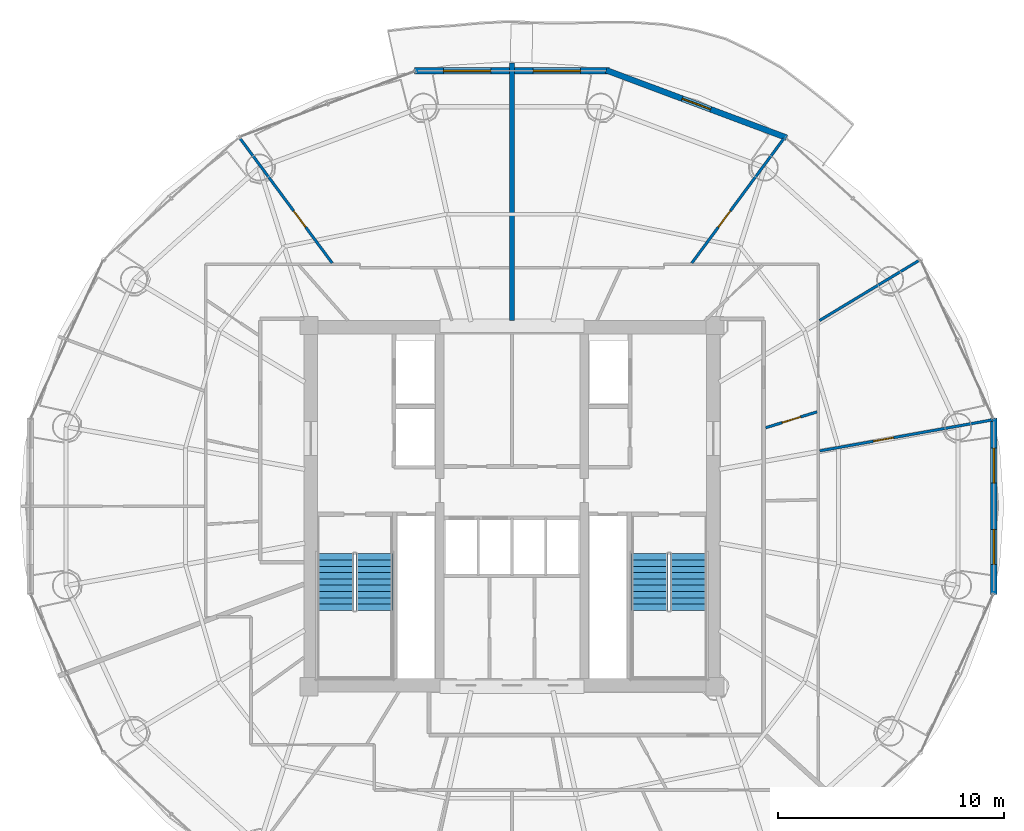
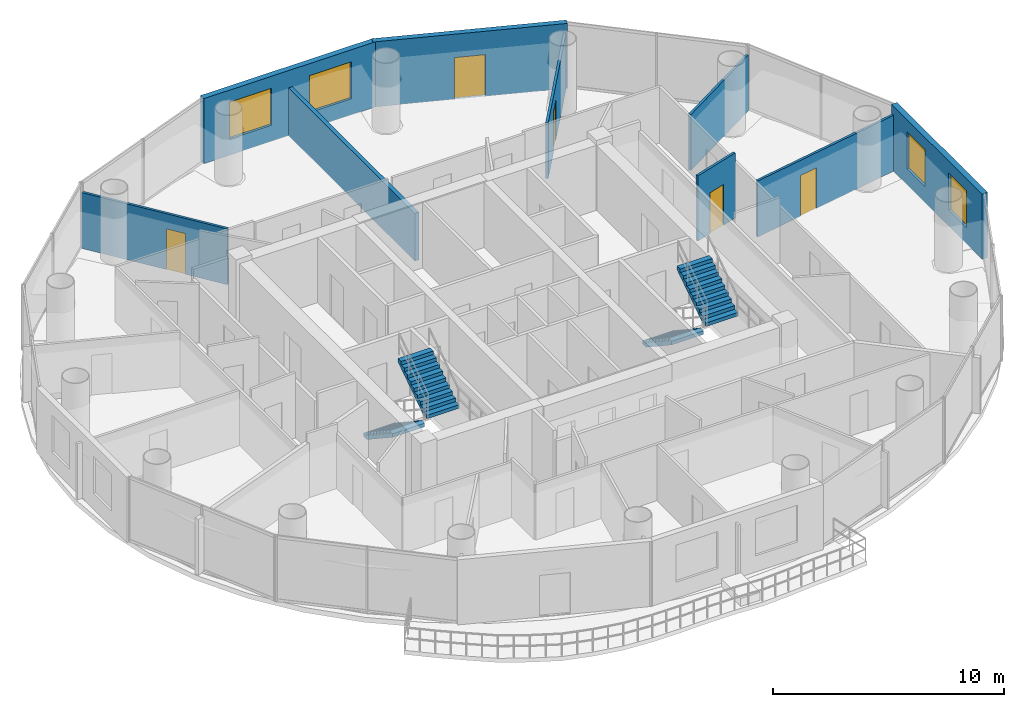
# One storey, part 23 of 26: 9 walls, 5 doors, 4 stair flights, 4 windows, 9 openings, 2 elements without a shape of their own.
"""IFC4 building model written with IfcOpenShell, lengths in metres."""

from ifc_helpers import new_model, si_unit, direction, frame, frame_2d, origin, place, context, subcontext, project, spatial, polyline, rectangle, outline, extrude, source, transform, mapped, material, layer, layer_set, type_object, element, fill, aggregate, save


model = new_model("IFC4")

# Units and contexts
model_context = context("Model", 3, precision=1e-05, world=origin(), true_north=direction((-0.2419218956, 0.970295726276)))
body_context = subcontext(model_context, "Body", "Model", "MODEL_VIEW")
ifc_project = project(units=[si_unit("LENGTHUNIT", "METRE"), si_unit("AREAUNIT", "SQUARE_METRE"), si_unit("VOLUMEUNIT", "CUBIC_METRE"), si_unit("PLANEANGLEUNIT", "RADIAN"), si_unit("MASSUNIT", "GRAM", prefix="KILO")], contexts=[model_context])

# Site, building, storey
site_placement = place(None, origin())
site = spatial("IfcSite", under=ifc_project, at=site_placement, CompositionType="ELEMENT")
building_placement = place(site_placement, origin())
building = spatial("IfcBuilding", under=site, at=building_placement, Name="Cobrevalo Terracotta Tower", CompositionType="ELEMENT")
storey_placement = place(building_placement, frame((0.0, 0.0, 209.699951171875)))
storey = spatial("IfcBuildingStorey", under=building, at=storey_placement, Name="L55", CompositionType="ELEMENT", Elevation=209.699951171875)

# Wall
ifc_material_1 = material(Name="Autoclaved aerated concrete block", Category="concrete")
ifc_layer_1 = layer(ifc_material_1, 0.199951171875)
ifc_layer_set_1 = layer_set([ifc_layer_1], Name="Autoclaved aerated concrete block")
wall_type_1 = type_object("IfcWallType", Name="Fire-rated stair, shaft & demising masonry wall 200 mm", PredefinedType="PARTITIONING", material=ifc_layer_set_1)
wall_1_placement = place(storey_placement, frame((38.0, 35.027099609375, 0.0), z_axis=(0.0, 0.0, 1.0), x_axis=(0.0, 1.0, 0.0)))
element("IfcWall", 1, at=wall_1_placement, inside=storey, type_object=wall_type_1, Name="L55 interior partition IW-L55-DEM-1", PredefinedType="PARTITIONING", context=body_context, shape_type="SweptSolid", body=[
    extrude(rectangle(XDim=11.412841796875, YDim=0.199951171875, at=frame_2d((5.70654296875, 0.0))), origin(), (0.0, 0.0, 1.0), 2.52001953125),
])

# Wall, openings, windows
ifc_layer_2 = layer(ifc_material_1, 0.280029296875)
ifc_layer_set_2 = layer_set([ifc_layer_2], Name="Autoclaved aerated concrete block")
wall_type_2 = type_object("IfcWallType", Name="Insulated tower spandrel & pier wall 280 mm with terracotta rainscreen", PredefinedType="SOLIDWALL", material=ifc_layer_set_2)
wall_2_placement = place(storey_placement, frame((42.3271484375, 46.092041015625, 0.0), z_axis=(0.0, 0.0, 1.0), x_axis=(-1.0, 0.0, 0.0)))
wall_2 = element("IfcWall", 2, at=wall_2_placement, inside=storey, type_object=wall_type_2, Name="L55 terracotta rainscreen pier wall S04", PredefinedType="SOLIDWALL", context=body_context, shape_type="SweptSolid", body=[
    extrude(rectangle(XDim=8.654296875, YDim=0.280029296875, at=frame_2d((4.3271484375, 0.0))), origin(), (0.0, 0.0, 1.0), 3.43505859375),
])
opening_1_placement = place(wall_2_placement, frame((1.28662109375, 0.0, 0.85009765625)))
opening_1 = element("IfcOpeningElement", 3, at=opening_1_placement, cuts=wall_2, Name="Opening WN-10", PredefinedType="OPENING", context=body_context, shape_type="SweptSolid", body=[
    extrude(rectangle(XDim=2.10009765625, YDim=1.949951171875, at=frame_2d((1.050048828125, 0.97509765625))), frame((0.0, 0.14990234375, 0.0), z_axis=(0.0, -1.0, 0.0), x_axis=(1.0, 0.0, 0.0)), (0.0, 0.0, 1.0), 0.300048828125),
])
opening_2_placement = place(wall_2_placement, frame((5.267578125, 0.0, 0.85009765625)))
opening_2 = element("IfcOpeningElement", 4, at=opening_2_placement, cuts=wall_2, Name="Opening WN-10", PredefinedType="OPENING", context=body_context, shape_type="SweptSolid", body=[
    extrude(rectangle(XDim=2.10009765625, YDim=1.949951171875, at=frame_2d((1.050048828125, 0.97509765625))), frame((0.0, 0.14990234375, 0.0), z_axis=(0.0, -1.0, 0.0), x_axis=(1.0, 0.0, 0.0)), (0.0, 0.0, 1.0), 0.300048828125),
])
ifc_material_2 = material(Name="Solar-control low-E double glazing", Category="glass")
window_type_1 = type_object("IfcWindowType", Name="Wide panoramic low-E aluminium window 2100x1950", PartitioningType="SINGLE_PANEL", PredefinedType="WINDOW", material=ifc_material_2)
shared_shape_1 = source(origin(), body_context, "Body", "SweptSolid", [
    extrude(rectangle(XDim=2.10009765625, YDim=1.949951171875, at=frame_2d((1.050048828125, 0.97509765625))), frame((0.0, 0.030029296875, 0.0), z_axis=(0.0, -1.0, 0.0), x_axis=(1.0, 0.0, 0.0)), (0.0, 0.0, 1.0), 0.06005859375),
])
window_1_placement = place(opening_1_placement, origin())
window_1 = element("IfcWindow", 5, at=window_1_placement, inside=storey, type_object=window_type_1, Name="L55 suite window S04A", OverallHeight=1.949951171875, OverallWidth=2.10009765625, PartitioningType="SINGLE_PANEL", PredefinedType="WINDOW", context=body_context, shape_type="MappedRepresentation", body=[
    mapped(shared_shape_1, transform((0.0, 0.0, 0.0), scale=1.0)),
])
fill(opening_1, window_1)
window_2_placement = place(opening_2_placement, origin())
window_2 = element("IfcWindow", 6, at=window_2_placement, inside=storey, type_object=window_type_1, Name="L55 suite window S04B", OverallHeight=1.949951171875, OverallWidth=2.10009765625, PartitioningType="SINGLE_PANEL", PredefinedType="WINDOW", context=body_context, shape_type="MappedRepresentation", body=[
    mapped(shared_shape_1, transform((0.0, 0.0, 0.0), scale=1.0)),
])
fill(opening_2, window_2)

wall_3_placement = place(storey_placement, frame((59.351806640625, 22.882568359375, 0.0), z_axis=(0.0, 0.0, 1.0), x_axis=(0.0, 1.0, 0.0)))
wall_3 = element("IfcWall", 7, at=wall_3_placement, inside=storey, type_object=wall_type_2, Name="L55 terracotta rainscreen pier wall S16", PredefinedType="SOLIDWALL", context=body_context, shape_type="SweptSolid", body=[
    extrude(rectangle(XDim=7.8349609375, YDim=0.280029296875, at=frame_2d((3.91748046875, 0.0))), origin(), (0.0, 0.0, 1.0), 3.43505859375),
])
opening_3_placement = place(wall_3_placement, frame((1.34033203125, 0.0, 0.85009765625)))
opening_3 = element("IfcOpeningElement", 8, at=opening_3_placement, cuts=wall_3, Name="Opening WN-12", PredefinedType="OPENING", context=body_context, shape_type="SweptSolid", body=[
    extrude(rectangle(XDim=1.550048828125, YDim=1.949951171875, at=frame_2d((0.77490234375, 0.97509765625))), frame((0.0, 0.14990234375, 0.0), z_axis=(0.0, -1.0, 0.0), x_axis=(1.0, 0.0, 0.0)), (0.0, 0.0, 1.0), 0.300048828125),
])
opening_4_placement = place(wall_3_placement, frame((4.9443359375, 0.0, 0.85009765625)))
opening_4 = element("IfcOpeningElement", 9, at=opening_4_placement, cuts=wall_3, Name="Opening WN-12", PredefinedType="OPENING", context=body_context, shape_type="SweptSolid", body=[
    extrude(rectangle(XDim=1.550048828125, YDim=1.949951171875, at=frame_2d((0.77490234375, 0.97509765625))), frame((0.0, 0.14990234375, 0.0), z_axis=(0.0, -1.0, 0.0), x_axis=(1.0, 0.0, 0.0)), (0.0, 0.0, 1.0), 0.300048828125),
])
window_type_2 = type_object("IfcWindowType", Name="Solar-control low-E aluminium window 1550x1950", PartitioningType="SINGLE_PANEL", PredefinedType="WINDOW", material=ifc_material_2)
shared_shape_2 = source(origin(), body_context, "Body", "SweptSolid", [
    extrude(rectangle(XDim=1.550048828125, YDim=1.949951171875, at=frame_2d((0.77490234375, 0.97509765625))), frame((0.0, 0.030029296875, 0.0), z_axis=(0.0, -1.0, 0.0), x_axis=(1.0, 0.0, 0.0)), (0.0, 0.0, 1.0), 0.06005859375),
])
window_3_placement = place(opening_3_placement, origin())
window_3 = element("IfcWindow", 10, at=window_3_placement, inside=storey, type_object=window_type_2, Name="L55 suite window S16A", OverallHeight=1.949951171875, OverallWidth=1.550048828125, PartitioningType="SINGLE_PANEL", PredefinedType="WINDOW", context=body_context, shape_type="MappedRepresentation", body=[
    mapped(shared_shape_2, transform((0.0, 0.0, 0.0), scale=1.0)),
])
fill(opening_3, window_3)
window_4_placement = place(opening_4_placement, origin())
window_4 = element("IfcWindow", 11, at=window_4_placement, inside=storey, type_object=window_type_2, Name="L55 suite window S16B", OverallHeight=1.949951171875, OverallWidth=1.550048828125, PartitioningType="SINGLE_PANEL", PredefinedType="WINDOW", context=body_context, shape_type="MappedRepresentation", body=[
    mapped(shared_shape_2, transform((0.0, 0.0, 0.0), scale=1.0)),
])
fill(opening_4, window_4)

# Wall, opening, door
ifc_layer_3 = layer(ifc_material_1, 0.260009765625)
ifc_layer_set_3 = layer_set([ifc_layer_3], Name="Autoclaved aerated concrete block")
wall_type_3 = type_object("IfcWallType", Name="Recessed balcony loggia insulated exterior wall 260 mm", PredefinedType="SOLIDWALL", material=ifc_layer_set_3)
wall_4_placement = place(storey_placement, frame((50.169677734375, 43.126953125, 0.0), z_axis=(0.0, 0.0, 1.0), x_axis=(-0.936556918375, 0.350515532672, 0.0)))
wall_4 = element("IfcWall", 12, at=wall_4_placement, inside=storey, type_object=wall_type_3, Name="L55 balcony loggia wall S03", PredefinedType="SOLIDWALL", context=body_context, shape_type="SweptSolid", body=[
    extrude(rectangle(XDim=8.539306640625, YDim=0.260009765625, at=frame_2d((4.26953125, 0.0))), origin(), (0.0, 0.0, 1.0), 3.43505859375),
])
opening_5_placement = place(wall_4_placement, frame((3.594482421875, 0.0, 0.0)))
opening_5 = element("IfcOpeningElement", 13, at=opening_5_placement, cuts=wall_4, Name="Opening ED-05", PredefinedType="OPENING", context=body_context, shape_type="SweptSolid", body=[
    extrude(rectangle(XDim=1.35009765625, YDim=2.199951171875, at=frame_2d((0.675048828125, 1.10009765625))), frame((0.0, 0.14013671875, 0.0), z_axis=(0.0, -1.0, 0.0), x_axis=(1.0, 0.0, 0.0)), (0.0, 0.0, 1.0), 0.280029296875),
])
ifc_material_3 = material(Name="Anodized aluminium and laminated glass", Category="aluminium")
door_type_1 = type_object("IfcDoorType", Name="Suite balcony acoustic glazed terrace door 1350x2200", OperationType="NOTDEFINED", PredefinedType="DOOR", material=ifc_material_3)
shared_shape_3 = source(origin(), body_context, "Body", "SweptSolid", [
    extrude(rectangle(XDim=1.35009765625, YDim=2.199951171875, at=frame_2d((0.675048828125, 1.10009765625))), frame((0.0, 0.02490234375, 0.0), z_axis=(0.0, -1.0, 0.0), x_axis=(1.0, 0.0, 0.0)), (0.0, 0.0, 1.0), 0.050048828125),
])
door_1_placement = place(opening_5_placement, frame((1.35009765625, 0.0, 0.0), z_axis=(0.0, 0.0, 1.0), x_axis=(-1.0, 0.0, 0.0)))
door_1 = element("IfcDoor", 14, at=door_1_placement, inside=storey, type_object=door_type_1, Name="L55 glazed balcony terrace door 1", OperationType="SINGLE_SWING_LEFT", OverallHeight=2.199951171875, OverallWidth=1.35009765625, PredefinedType="DOOR", context=body_context, shape_type="MappedRepresentation", body=[
    mapped(shared_shape_3, transform((0.0, 0.0, 0.0), scale=1.0)),
])
fill(opening_5, door_1)

ifc_material_4 = material(Name="Gypsum board on steel stud", Category="steel")
ifc_layer_4 = layer(ifc_material_4, 0.1201171875)
ifc_layer_set_4 = layer_set([ifc_layer_4], Name="Gypsum board on steel stud")
wall_type_4 = type_object("IfcWallType", Name="Residential internal acoustic stud partition 120 mm", PredefinedType="PARTITIONING", material=ifc_layer_set_4)
wall_5_placement = place(storey_placement, frame((30.032958984375, 37.574951171875, 0.0), z_axis=(0.0, 0.0, 1.0), x_axis=(-0.59452500855, 0.804077119565, 0.0)))
wall_5 = element("IfcWall", 15, at=wall_5_placement, inside=storey, type_object=wall_type_4, Name="L55 interior partition IW-L55-U1-ORAD1", PredefinedType="PARTITIONING", context=body_context, shape_type="SweptSolid", body=[
    extrude(rectangle(XDim=6.866943359375, YDim=0.1201171875, at=frame_2d((3.43359375, 0.0))), origin(), (0.0, 0.0, 1.0), 2.950927734375),
])
opening_6_placement = place(wall_5_placement, frame((1.975830078125, 0.0, 0.0)))
opening_6 = element("IfcOpeningElement", 16, at=opening_6_placement, cuts=wall_5, Name="Opening ID-12", PredefinedType="OPENING", context=body_context, shape_type="SweptSolid", body=[
    extrude(rectangle(XDim=0.89990234375, YDim=2.14990234375, at=frame_2d((0.449951171875, 1.074951171875))), frame((0.0, 0.070068359375, 0.0), z_axis=(0.0, -1.0, 0.0), x_axis=(1.0, 0.0, 0.0)), (0.0, 0.0, 1.0), 0.14013671875),
])
ifc_material_5 = material(Name="Engineered timber", Category="wood")
door_type_2 = type_object("IfcDoorType", Name="Internal residence & suite timber door 900x2150", OperationType="NOTDEFINED", PredefinedType="DOOR", material=ifc_material_5)
shared_shape_4 = source(origin(), body_context, "Body", "SweptSolid", [
    extrude(rectangle(XDim=0.89990234375, YDim=2.14990234375, at=frame_2d((0.449951171875, 1.074951171875))), frame((0.0, 0.02490234375, 0.0), z_axis=(0.0, -1.0, 0.0), x_axis=(1.0, 0.0, 0.0)), (0.0, 0.0, 1.0), 0.050048828125),
])
door_2_placement = place(opening_6_placement, frame((0.89990234375, 0.0, 0.0), z_axis=(0.0, 0.0, 1.0), x_axis=(-1.0, 0.0, 0.0)))
door_2 = element("IfcDoor", 17, at=door_2_placement, inside=storey, type_object=door_type_2, Name="Flat L55A Living and Dining Room internal door", OperationType="SINGLE_SWING_LEFT", OverallHeight=2.14990234375, OverallWidth=0.89990234375, PredefinedType="DOOR", context=body_context, shape_type="MappedRepresentation", body=[
    mapped(shared_shape_4, transform((0.0, 0.0, 0.0), scale=1.0)),
])
fill(opening_6, door_2)

wall_6_placement = place(storey_placement, frame((51.635986328125, 29.2509765625, 0.0), z_axis=(0.0, 0.0, 1.0), x_axis=(0.984223216243, 0.176931231294, 0.0)))
wall_6 = element("IfcWall", 18, at=wall_6_placement, inside=storey, type_object=wall_type_4, Name="L55 interior partition IW-L55-U3-ORAD1", PredefinedType="PARTITIONING", context=body_context, shape_type="SweptSolid", body=[
    extrude(rectangle(XDim=7.76318359375, YDim=0.1201171875, at=frame_2d((3.881591796875, 0.0))), origin(), (0.0, 0.0, 1.0), 2.950927734375),
])
opening_7_placement = place(wall_6_placement, frame((2.42138671875, 0.0, 0.0)))
opening_7 = element("IfcOpeningElement", 19, at=opening_7_placement, cuts=wall_6, Name="Opening ID-12", PredefinedType="OPENING", context=body_context, shape_type="SweptSolid", body=[
    extrude(rectangle(XDim=0.89990234375, YDim=2.14990234375, at=frame_2d((0.449951171875, 1.074951171875))), frame((0.0, 0.070068359375, 0.0), z_axis=(0.0, -1.0, 0.0), x_axis=(1.0, 0.0, 0.0)), (0.0, 0.0, 1.0), 0.14013671875),
])
door_3_placement = place(opening_7_placement, frame((0.89990234375, 0.0, 0.0), z_axis=(0.0, 0.0, 1.0), x_axis=(-1.0, 0.0, 0.0)))
door_3 = element("IfcDoor", 20, at=door_3_placement, inside=storey, type_object=door_type_2, Name="Flat L55C Penthouse Living and Dining Room internal door", OperationType="SINGLE_SWING_RIGHT", OverallHeight=2.14990234375, OverallWidth=0.89990234375, PredefinedType="DOOR", context=body_context, shape_type="MappedRepresentation", body=[
    mapped(shared_shape_4, transform((0.0, 0.0, 0.0), scale=1.0)),
])
fill(opening_7, door_3)

# Wall
wall_7_placement = place(storey_placement, frame((51.628173828125, 35.02880859375, 0.0), z_axis=(0.0, 0.0, 1.0), x_axis=(0.856041879651, 0.516906471505, 0.0)))
element("IfcWall", 21, at=wall_7_placement, inside=storey, type_object=wall_type_4, Name="L55 interior partition IW-L55-U3-ORAD2M1", PredefinedType="PARTITIONING", context=body_context, shape_type="SweptSolid", body=[
    extrude(rectangle(XDim=5.148681640625, YDim=0.1201171875, at=frame_2d((2.57421875, 0.0))), origin(), (0.0, 0.0, 1.0), 2.950927734375),
])

# Wall, opening, door
wall_8_placement = place(storey_placement, frame((45.967041015625, 37.574951171875, 0.0), z_axis=(0.0, 0.0, 1.0), x_axis=(0.59452500855, 0.804077119565, 0.0)))
wall_8 = element("IfcWall", 22, at=wall_8_placement, inside=storey, type_object=wall_type_4, Name="L55 interior partition IW-L55-U3-ORAD2", PredefinedType="PARTITIONING", context=body_context, shape_type="SweptSolid", body=[
    extrude(rectangle(XDim=6.866943359375, YDim=0.1201171875, at=frame_2d((3.43359375, 0.0))), origin(), (0.0, 0.0, 1.0), 2.950927734375),
])
opening_8_placement = place(wall_8_placement, frame((1.975341796875, 0.0, 0.0)))
opening_8 = element("IfcOpeningElement", 23, at=opening_8_placement, cuts=wall_8, Name="Opening ID-12", PredefinedType="OPENING", context=body_context, shape_type="SweptSolid", body=[
    extrude(rectangle(XDim=0.89990234375, YDim=2.14990234375, at=frame_2d((0.449951171875, 1.074951171875))), frame((0.0, 0.070068359375, 0.0), z_axis=(0.0, -1.0, 0.0), x_axis=(1.0, 0.0, 0.0)), (0.0, 0.0, 1.0), 0.14013671875),
])
door_4_placement = place(opening_8_placement, frame((0.89990234375, 0.0, 0.0), z_axis=(0.0, 0.0, 1.0), x_axis=(-1.0, 0.0, 0.0)))
door_4 = element("IfcDoor", 24, at=door_4_placement, inside=storey, type_object=door_type_2, Name="Flat L55C Principal Guest Bedroom internal door", OperationType="SINGLE_SWING_LEFT", OverallHeight=2.14990234375, OverallWidth=0.89990234375, PredefinedType="DOOR", context=body_context, shape_type="MappedRepresentation", body=[
    mapped(shared_shape_4, transform((0.0, 0.0, 0.0), scale=1.0)),
])
fill(opening_8, door_4)

wall_9_placement = place(storey_placement, frame((49.23681640625, 30.276611328125, 0.0), z_axis=(0.0, 0.0, 1.0), x_axis=(0.955326488692, 0.295552533406, 0.0)))
wall_9 = element("IfcWall", 25, at=wall_9_placement, inside=storey, type_object=wall_type_4, Name="L55 interior partition IW-L55-U3-IRAD3", PredefinedType="PARTITIONING", context=body_context, shape_type="SweptSolid", body=[
    extrude(rectangle(XDim=2.3857421875, YDim=0.1201171875, at=frame_2d((1.19287109375, 0.0))), origin(), (0.0, 0.0, 1.0), 3.43505859375),
])
opening_9_placement = place(wall_9_placement, frame((0.7626953125, 0.0, 0.0)))
opening_9 = element("IfcOpeningElement", 26, at=opening_9_placement, cuts=wall_9, Name="Opening ID-19", PredefinedType="OPENING", context=body_context, shape_type="SweptSolid", body=[
    extrude(rectangle(XDim=0.860107421875, YDim=2.14990234375, at=frame_2d((0.43017578125, 1.074951171875))), frame((0.0, 0.070068359375, 0.0), z_axis=(0.0, -1.0, 0.0), x_axis=(1.0, 0.0, 0.0)), (0.0, 0.0, 1.0), 0.14013671875),
])
ifc_material_6 = material(Name="Moisture-sealed timber", Category="wood")
door_type_3 = type_object("IfcDoorType", Name="Suite bathroom internal timber door 860x2150", OperationType="NOTDEFINED", PredefinedType="DOOR", material=ifc_material_6)
shared_shape_5 = source(origin(), body_context, "Body", "SweptSolid", [
    extrude(rectangle(XDim=0.860107421875, YDim=2.14990234375, at=frame_2d((0.43017578125, 1.074951171875))), frame((0.0, 0.02490234375, 0.0), z_axis=(0.0, -1.0, 0.0), x_axis=(1.0, 0.0, 0.0)), (0.0, 0.0, 1.0), 0.050048828125),
])
door_5_placement = place(opening_9_placement, frame((0.860107421875, 0.0, 0.0), z_axis=(0.0, 0.0, 1.0), x_axis=(-1.0, 0.0, 0.0)))
door_5 = element("IfcDoor", 27, at=door_5_placement, inside=storey, type_object=door_type_3, Name="Flat L55C Primary Bathroom internal door", OperationType="SINGLE_SWING_RIGHT", OverallHeight=2.14990234375, OverallWidth=0.860107421875, PredefinedType="DOOR", context=body_context, shape_type="MappedRepresentation", body=[
    mapped(shared_shape_5, transform((0.0, 0.0, 0.0), scale=1.0)),
])
fill(opening_9, door_5)

# Stair, stair flights
ifc_material_7 = material(Name="Concrete C50", Category="concrete")
stair_type = type_object("IfcStairType", Name="Core protected escape dogleg stair 1600", PredefinedType="HALF_TURN_STAIR", material=ifc_material_7)
stair_1_placement = place(storey_placement, origin())
stair_1 = element("IfcStair", 28, at=stair_1_placement, inside=storey, type_object=stair_type, Name="L55 Protected exit stair ST-1", PredefinedType="HALF_TURN_STAIR")
stair_flight_type = type_object("IfcStairFlightType", Name="Core protected escape dogleg stair 1600 flight", PredefinedType="STRAIGHT", material=ifc_material_7)
stair_flight_1_placement = place(storey_placement, frame((30.175048828125, 24.699951171875, 0.0), z_axis=(0.0, 0.0, 1.0), x_axis=(0.0, -1.0, 0.0)))
stair_flight_1 = element("IfcStairFlight", 29, at=stair_flight_1_placement, type_object=stair_flight_type, Name="ST-1 flight 1", NumberOfRisers=10, NumberOfTreads=9, PredefinedType="STRAIGHT", RiserHeight=0.185, TreadLength=0.28, context=body_context, shape_type="SweptSolid", body=[
    extrude(outline(polyline([(0.0, 0.0), (0.0, 0.18505859375), (0.280029296875, 0.18505859375), (0.280029296875, 0.3701171875), (0.56005859375, 0.3701171875), (0.56005859375, 0.554931640625), (0.840087890625, 0.554931640625), (0.840087890625, 0.739990234375), (1.1201171875, 0.739990234375), (1.1201171875, 0.925048828125), (1.39990234375, 0.925048828125), (1.39990234375, 1.110107421875), (1.679931640625, 1.110107421875), (1.679931640625, 1.294921875), (1.9599609375, 1.294921875), (1.9599609375, 1.47998046875), (2.239990234375, 1.47998046875), (2.239990234375, 1.6650390625), (2.52001953125, 1.6650390625), (2.52001953125, 1.85009765625), (2.52001953125, 1.473388671875), (0.2900390625, 0.0), (0.0, 0.0)])), frame((0.0, 0.800048828125, 0.0), z_axis=(0.0, -1.0, 0.0), x_axis=(1.0, 0.0, 0.0)), (0.0, 0.0, 1.0), 1.60009765625),
])
stair_flight_2_placement = place(storey_placement, frame((31.89501953125, 22.179931640625, 1.85009765625), z_axis=(0.0, 0.0, 1.0), x_axis=(0.0, 1.0, 0.0)))
stair_flight_2 = element("IfcStairFlight", 30, at=stair_flight_2_placement, type_object=stair_flight_type, Name="ST-1 flight 2", NumberOfRisers=10, NumberOfTreads=9, PredefinedType="STRAIGHT", RiserHeight=0.185, TreadLength=0.28, context=body_context, shape_type="SweptSolid", body=[
    extrude(outline(polyline([(0.0, 0.0), (0.0, 0.18505859375), (0.280029296875, 0.18505859375), (0.280029296875, 0.3701171875), (0.56005859375, 0.3701171875), (0.56005859375, 0.554931640625), (0.840087890625, 0.554931640625), (0.840087890625, 0.739990234375), (1.1201171875, 0.739990234375), (1.1201171875, 0.925048828125), (1.39990234375, 0.925048828125), (1.39990234375, 1.110107421875), (1.679931640625, 1.110107421875), (1.679931640625, 1.294921875), (1.9599609375, 1.294921875), (1.9599609375, 1.47998046875), (2.239990234375, 1.47998046875), (2.239990234375, 1.6650390625), (2.52001953125, 1.6650390625), (2.52001953125, 1.85009765625), (2.52001953125, 1.473388671875), (0.2900390625, 0.0), (0.0, 0.0)])), frame((0.0, 0.800048828125, 0.0), z_axis=(0.0, -1.0, 0.0), x_axis=(1.0, 0.0, 0.0)), (0.0, 0.0, 1.0), 1.60009765625),
])
aggregate(stair_1, [stair_flight_1, stair_flight_2])

stair_2_placement = place(storey_placement, origin())
stair_2 = element("IfcStair", 31, at=stair_2_placement, inside=storey, type_object=stair_type, Name="L55 Protected exit stair ST-2", PredefinedType="HALF_TURN_STAIR")
stair_flight_3_placement = place(storey_placement, frame((44.10498046875, 24.699951171875, 0.0), z_axis=(0.0, 0.0, 1.0), x_axis=(0.0, -1.0, 0.0)))
stair_flight_3 = element("IfcStairFlight", 32, at=stair_flight_3_placement, type_object=stair_flight_type, Name="ST-2 flight 1", NumberOfRisers=10, NumberOfTreads=9, PredefinedType="STRAIGHT", RiserHeight=0.185, TreadLength=0.28, context=body_context, shape_type="SweptSolid", body=[
    extrude(outline(polyline([(0.0, 0.0), (0.0, 0.18505859375), (0.280029296875, 0.18505859375), (0.280029296875, 0.3701171875), (0.56005859375, 0.3701171875), (0.56005859375, 0.554931640625), (0.840087890625, 0.554931640625), (0.840087890625, 0.739990234375), (1.1201171875, 0.739990234375), (1.1201171875, 0.925048828125), (1.39990234375, 0.925048828125), (1.39990234375, 1.110107421875), (1.679931640625, 1.110107421875), (1.679931640625, 1.294921875), (1.9599609375, 1.294921875), (1.9599609375, 1.47998046875), (2.239990234375, 1.47998046875), (2.239990234375, 1.6650390625), (2.52001953125, 1.6650390625), (2.52001953125, 1.85009765625), (2.52001953125, 1.473388671875), (0.2900390625, 0.0), (0.0, 0.0)])), frame((0.0, 0.800048828125, 0.0), z_axis=(0.0, -1.0, 0.0), x_axis=(1.0, 0.0, 0.0)), (0.0, 0.0, 1.0), 1.60009765625),
])
stair_flight_4_placement = place(storey_placement, frame((45.824951171875, 22.179931640625, 1.85009765625), z_axis=(0.0, 0.0, 1.0), x_axis=(0.0, 1.0, 0.0)))
stair_flight_4 = element("IfcStairFlight", 33, at=stair_flight_4_placement, type_object=stair_flight_type, Name="ST-2 flight 2", NumberOfRisers=10, NumberOfTreads=9, PredefinedType="STRAIGHT", RiserHeight=0.185, TreadLength=0.28, context=body_context, shape_type="SweptSolid", body=[
    extrude(outline(polyline([(0.0, 0.0), (0.0, 0.18505859375), (0.280029296875, 0.18505859375), (0.280029296875, 0.3701171875), (0.56005859375, 0.3701171875), (0.56005859375, 0.554931640625), (0.840087890625, 0.554931640625), (0.840087890625, 0.739990234375), (1.1201171875, 0.739990234375), (1.1201171875, 0.925048828125), (1.39990234375, 0.925048828125), (1.39990234375, 1.110107421875), (1.679931640625, 1.110107421875), (1.679931640625, 1.294921875), (1.9599609375, 1.294921875), (1.9599609375, 1.47998046875), (2.239990234375, 1.47998046875), (2.239990234375, 1.6650390625), (2.52001953125, 1.6650390625), (2.52001953125, 1.85009765625), (2.52001953125, 1.473388671875), (0.2900390625, 0.0), (0.0, 0.0)])), frame((0.0, 0.800048828125, 0.0), z_axis=(0.0, -1.0, 0.0), x_axis=(1.0, 0.0, 0.0)), (0.0, 0.0, 1.0), 1.60009765625),
])
aggregate(stair_2, [stair_flight_3, stair_flight_4])

save(model, "model.ifc")
